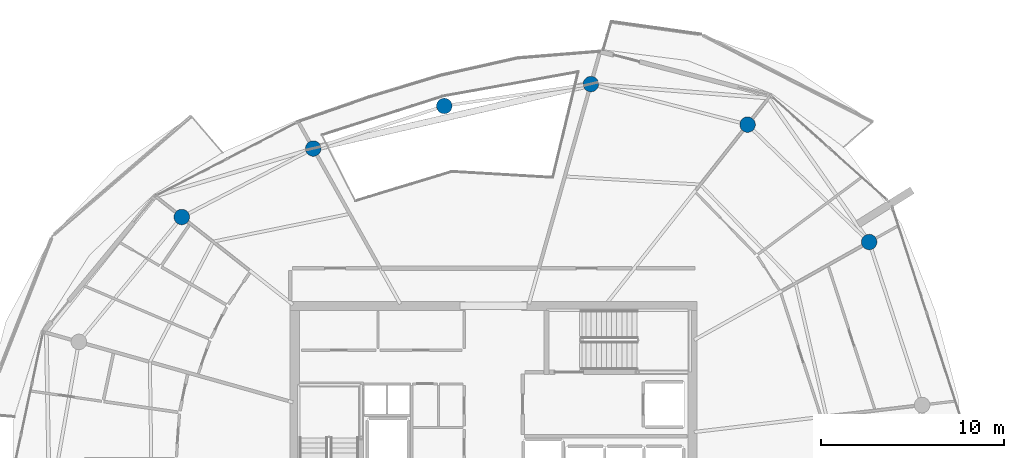
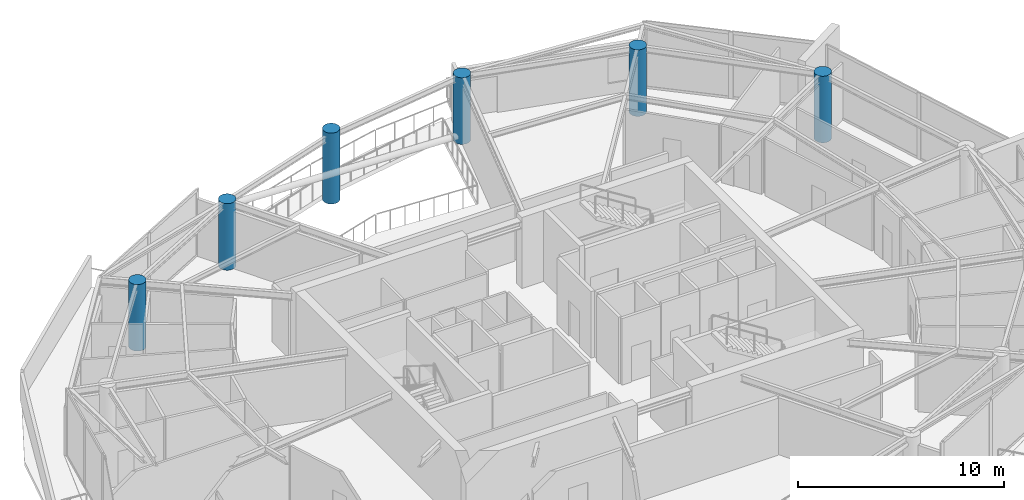
# One storey, part 4 of 22: 6 columns.
"""IFC4 building model written with IfcOpenShell, lengths in metres."""

from ifc_helpers import new_model, si_unit, direction, frame, origin, origin_2d, place, context, subcontext, project, spatial, circle, extrude, material, material_profile, profile_set, type_object, element, save


model = new_model("IFC4")

# Units and contexts
model_context = context("Model", 3, precision=1e-05, world=origin(), true_north=direction((0.0, 1.0)))
body_context = subcontext(model_context, "Body", "Model", "MODEL_VIEW")
ifc_project = project(units=[si_unit("LENGTHUNIT", "METRE"), si_unit("AREAUNIT", "SQUARE_METRE"), si_unit("VOLUMEUNIT", "CUBIC_METRE"), si_unit("PLANEANGLEUNIT", "RADIAN"), si_unit("MASSUNIT", "GRAM", prefix="KILO")], contexts=[model_context])

# Site, building, storey
site_placement = place(None, origin())
site = spatial("IfcSite", under=ifc_project, at=site_placement, CompositionType="ELEMENT")
building_placement = place(site_placement, origin())
building = spatial("IfcBuilding", under=site, at=building_placement, Name="Kazma Halo Residences", CompositionType="ELEMENT")
storey_placement = place(building_placement, frame((0.0, 0.0, 334.699951171875)))
storey = spatial("IfcBuildingStorey", under=building, at=storey_placement, Name="L84", CompositionType="ELEMENT", Elevation=334.699951171875)

# Columns
ifc_material = material(Name="Concrete C60/75", Category="concrete")
ifc_material_profile = material_profile(ifc_material, circle(Radius=0.425048828125, at=origin_2d()), Name="CIRC850")
ifc_profile_set = profile_set([ifc_material_profile], Name="Concrete C60/75")
column_type = type_object("IfcColumnType", Name="COL-PERIM-850", PredefinedType="COLUMN", material=ifc_profile_set)
for number, where, z_axis, x_axis, name in (
    (1, (68.96337890625, 53.739990234375, 0.0), (0.0, 0.0, 1.0), (1.0, 0.0, 0.0), "L84 perimeter ring column P01"),
    (2, (62.31591796875, 60.159423828125, 0.0), (0.0, 0.0, 1.0), (1.0, 0.0, 0.0), "L84 perimeter ring column P02"),
    (3, (53.74658203125, 62.37646484375, 0.0), (0.0, 0.0, 1.0), (1.0, 0.0, 0.0), "L84 perimeter ring column P03"),
):
    element("IfcColumn", number, at=place(storey_placement, frame(where, z_axis=z_axis, x_axis=x_axis)), inside=storey, type_object=column_type, Name=name, PredefinedType="COLUMN", context=body_context, shape_type="SweptSolid", body=[
        extrude(circle(Radius=0.425048828125, at=origin_2d()), origin(), (0.0, 0.0, 1.0), 3.93994140625),
    ])
column_placement = place(storey_placement, frame((45.72998046875, 61.17919921875, 0.0), z_axis=(0.0, 0.0, 1.0), x_axis=(1.0, 0.0, 0.0)))
element("IfcColumn", 4, at=column_placement, inside=storey, type_object=column_type, Name="L84 perimeter ring column P04", PredefinedType="COLUMN", context=body_context, shape_type="SweptSolid", body=[
    extrude(circle(Radius=0.425048828125, at=origin_2d()), origin(), (0.0, 0.0, 1.0), 4.196044921875),
])
for number, where, z_axis, x_axis, name in (
    (5, (38.563232421875, 58.8505859375, 0.0), (0.0, 0.0, 1.0), (1.0, 0.0, 0.0), "L84 perimeter ring column P05"),
    (6, (31.373779296875, 55.10693359375, 0.0), (0.0, 0.0, 1.0), (1.0, 0.0, 0.0), "L84 perimeter ring column P06"),
):
    element("IfcColumn", number, at=place(storey_placement, frame(where, z_axis=z_axis, x_axis=x_axis)), inside=storey, type_object=column_type, Name=name, PredefinedType="COLUMN", context=body_context, shape_type="SweptSolid", body=[
        extrude(circle(Radius=0.425048828125, at=origin_2d()), origin(), (0.0, 0.0, 1.0), 3.93994140625),
    ])

save(model, "model.ifc")
